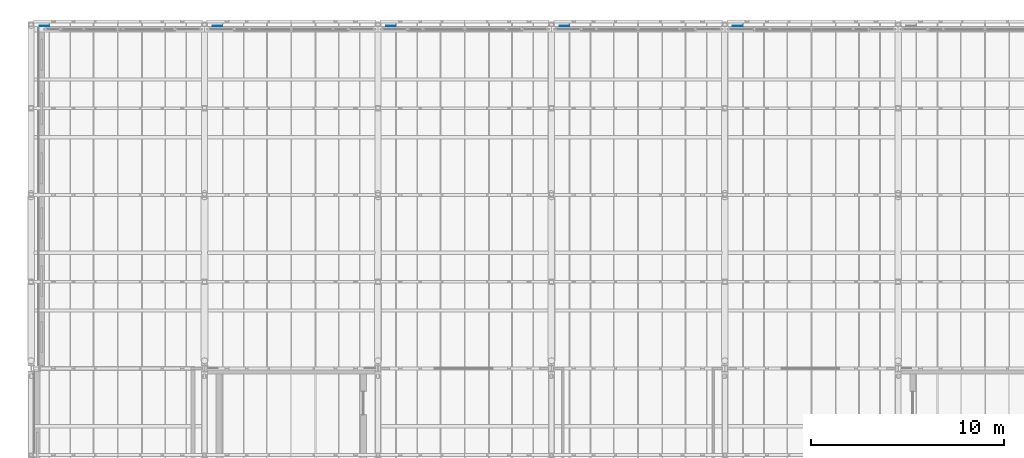
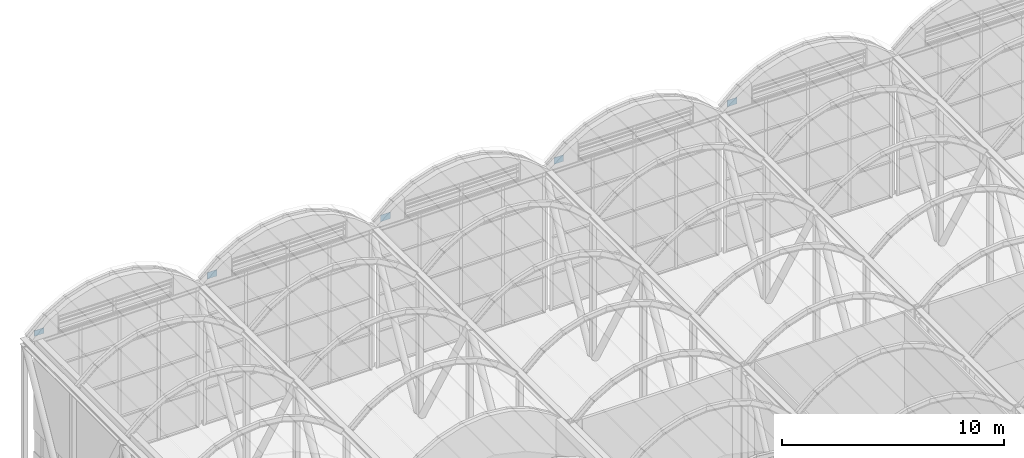
# One storey, part 141 of 144: 5 discrete accessories.
"""IFC4 building model written with IfcOpenShell, lengths in metres."""

from ifc_helpers import new_model, si_unit, direction, frame, origin, place, context, subcontext, project, spatial, polyline, outline, extrude, material, layer, layer_set, type_object, element, save


model = new_model("IFC4")

# Units and contexts
model_context = context("Model", 3, precision=1e-05, world=origin(), true_north=direction((0.0, 1.0)))
body_context = subcontext(model_context, "Body", "Model", "MODEL_VIEW")
ifc_project = project(units=[si_unit("LENGTHUNIT", "METRE"), si_unit("AREAUNIT", "SQUARE_METRE"), si_unit("VOLUMEUNIT", "CUBIC_METRE"), si_unit("PLANEANGLEUNIT", "RADIAN"), si_unit("MASSUNIT", "GRAM", prefix="KILO")], contexts=[model_context])

# Site, building, storey
site_placement = place(None, origin())
site = spatial("IfcSite", under=ifc_project, at=site_placement, CompositionType="ELEMENT")
building_placement = place(site_placement, origin())
building = spatial("IfcBuilding", under=site, at=building_placement, Name="Shorebreak Coast Museum", CompositionType="ELEMENT")
storey_placement = place(building_placement, frame((0.0, 0.0, 36.0)))
storey = spatial("IfcBuildingStorey", under=building, at=storey_placement, Name="L06", CompositionType="ELEMENT", Elevation=36.0)

# Discrete accessories
ifc_material_1 = material(Name="Steel Grade 300", Category="steel")
ifc_layer_1 = layer(ifc_material_1, 0.02490234375)
ifc_layer_set_1 = layer_set([ifc_layer_1], Name="Steel Grade 300")
discrete_accessory_type_1 = type_object("IfcDiscreteAccessoryType", Name="Cast-in plate 500 x 300 x 25", PredefinedType="ANCHORPLATE", material=ifc_layer_set_1)
discrete_accessory_placement = place(storey_placement, frame((54.449951171875, 134.75, 7.8212890625), z_axis=(0.0, -1.0, 0.0), x_axis=(1.0, 0.0, 0.0)))
element("IfcDiscreteAccessory", 1, at=discrete_accessory_placement, inside=storey, type_object=discrete_accessory_type_1, Name="Cast-in plate Transfer truss TR1 chord C12 end 2", PredefinedType="ANCHORPLATE", context=body_context, shape_type="SweptSolid", body=[
    extrude(outline(polyline([(0.0, 0.0), (0.5, 0.0), (0.5, 0.300048828125), (0.0, 0.300048828125), (0.0, 0.0)])), origin(), (0.0, 0.0, -1.0), 0.02490234375),
])
ifc_material_2 = material(Name="Steel Grade 300", Category="steel")
ifc_layer_2 = layer(ifc_material_2, 0.02490234375)
ifc_layer_set_2 = layer_set([ifc_layer_2], Name="Steel Grade 300")
discrete_accessory_type_2 = type_object("IfcDiscreteAccessoryType", Name="Cast-in plate 500 x 350 x 25", PredefinedType="ANCHORPLATE", material=ifc_layer_set_2)
for number, where, z_axis, x_axis, name in (
    (2, (63.425048828125, 134.75, 7.8212890625), (0.0, -1.0, 0.0), (1.0, 0.0, 0.0), "Cast-in plate Transfer truss TR2 chord C12 end 2"),
    (3, (72.425048828125, 134.75, 7.8212890625), (0.0, -1.0, 0.0), (1.0, 0.0, 0.0), "Cast-in plate Transfer truss TR3 chord C12 end 2"),
    (4, (81.425048828125, 134.75, 7.8212890625), (0.0, -1.0, 0.0), (1.0, 0.0, 0.0), "Cast-in plate Transfer truss TR4 chord C12 end 2"),
    (5, (90.425048828125, 134.75, 7.8212890625), (0.0, -1.0, 0.0), (1.0, 0.0, 0.0), "Cast-in plate Transfer truss TR5 chord C12 end 2"),
):
    element("IfcDiscreteAccessory", number, at=place(storey_placement, frame(where, z_axis=z_axis, x_axis=x_axis)), inside=storey, type_object=discrete_accessory_type_2, Name=name, PredefinedType="ANCHORPLATE", context=body_context, shape_type="SweptSolid", body=[
        extrude(outline(polyline([(0.0, 0.0), (0.5, 0.0), (0.5, 0.35009765625), (0.0, 0.35009765625), (0.0, 0.0)])), origin(), (0.0, 0.0, -1.0), 0.02490234375),
    ])

save(model, "model.ifc")
